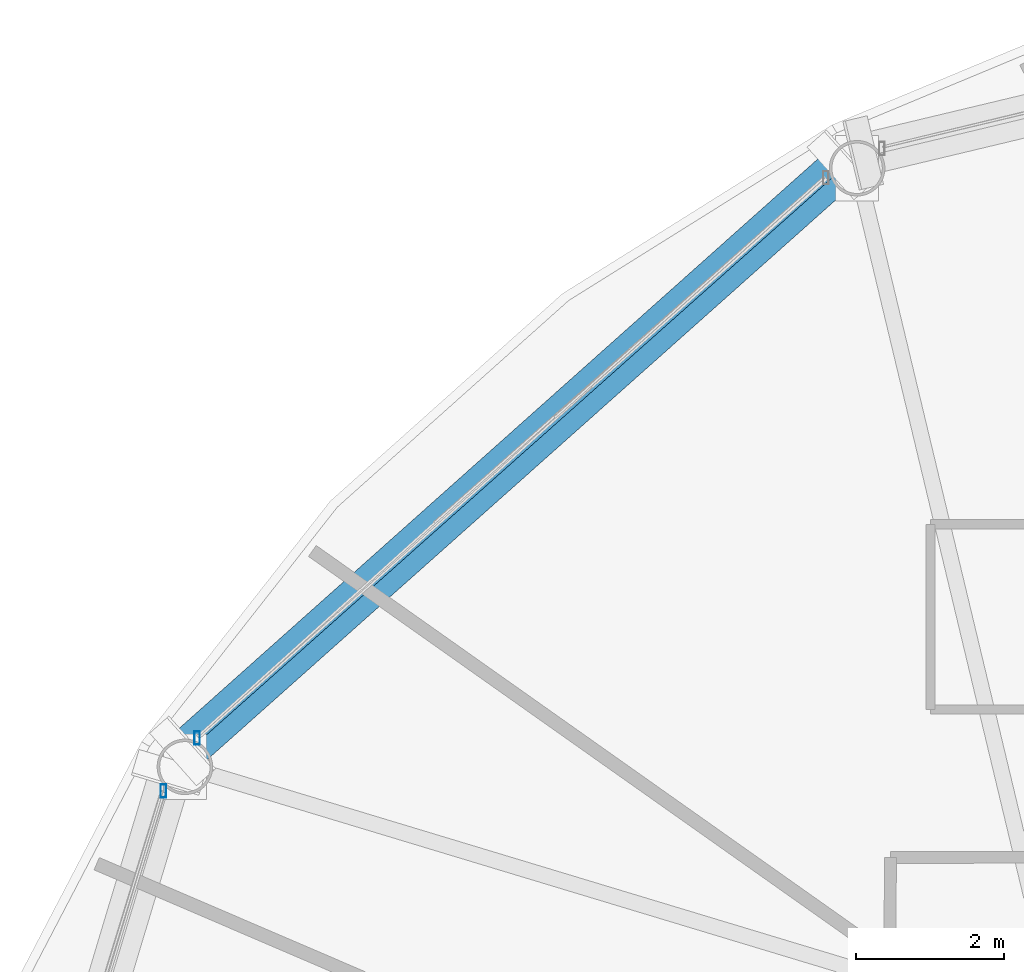
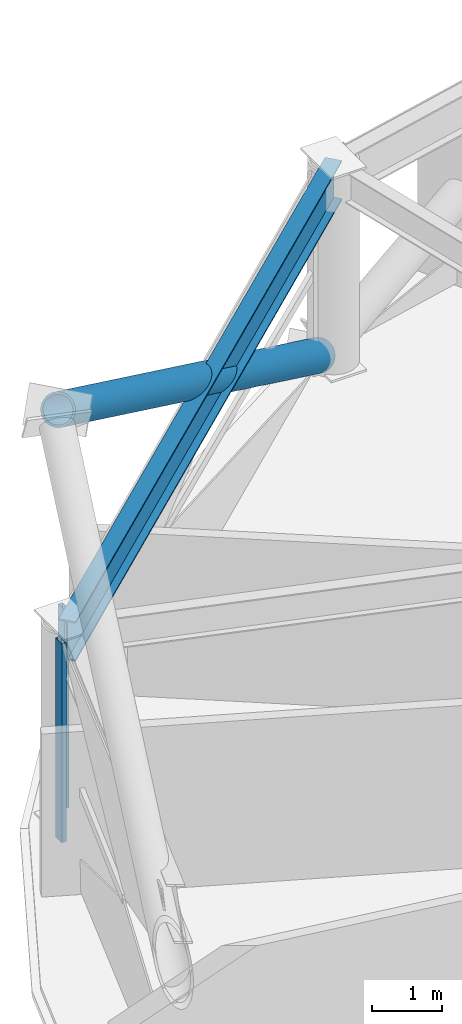
# One storey, part 13 of 29: 3 members, 1 beam, 2 elements without a shape of their own.
"""IFC4 building model written with IfcOpenShell, lengths in metres."""

import ifcopenshell
import ifcopenshell.guid

model = None  # the IFC model being written
_history = None  # IfcOwnerHistory: only IFC2X3 demands one
_inside = {}  # id of a spatial element -> (the spatial element, [elements in it])
_under = {}  # id of a project, library or spatial element -> (it, [spatial elements below it])
_declared = {}  # id of a project -> (the project, [libraries it declares])
_typed = {}  # id of a type object -> (the type object, [elements of that type])
_made_of = {}  # id of a material, layer set ... -> (it, [elements and type objects made of it])


def new_model(schema):
    """Start an empty IFC model of exactly this schema.

    Asked for "IFC4X3", IfcOpenShell would pick the latest addendum, in which some entities
    have other attributes; the version numbers below select the first issue.
    IFC2X3 requires an IfcOwnerHistory on every rooted entity: one is made here for all.
    """
    global model, _history
    if schema == "IFC4X3":
        model = ifcopenshell.file(schema_version=(4, 3, 0, 0))
    else:
        model = ifcopenshell.file(schema=schema)
    _inside.clear()
    _under.clear()
    _declared.clear()
    _typed.clear()
    _made_of.clear()
    _history = None
    if model.schema == "IFC2X3":
        org = make("IfcOrganization", Name="unknown")
        user = make(
            "IfcPersonAndOrganization",
            ThePerson=make("IfcPerson", FamilyName="unknown"),
            TheOrganization=org,
        )
        app = make(
            "IfcApplication",
            ApplicationDeveloper=org,
            Version="unknown",
            ApplicationFullName="unknown",
            ApplicationIdentifier="unknown",
        )
        _history = make(
            "IfcOwnerHistory",
            OwningUser=user,
            OwningApplication=app,
            ChangeAction="ADDED",
            CreationDate=0,
        )
    return model


def make(cls, **values):
    """One entity of the class cls with the attributes given. An attribute that is None is left unset."""
    return model.create_entity(
        cls, **{name: value for name, value in values.items() if value is not None}
    )


def rooted(cls, **values):
    """An entity with a GlobalId (a new one), such as an element, a storey or a relation."""
    return make(cls, GlobalId=ifcopenshell.guid.new(), OwnerHistory=_history, **values)


def si_unit(unit_type, name, prefix=None):
    """IfcSIUnit, for example si_unit("LENGTHUNIT", "METRE", prefix="MILLI")."""
    return make("IfcSIUnit", UnitType=unit_type, Prefix=prefix, Name=name)


def assignment(units):
    """IfcUnitAssignment: the units of a project."""
    return None if units is None else make("IfcUnitAssignment", Units=units)


def point(xyz):
    """IfcCartesianPoint."""
    return None if xyz is None else make("IfcCartesianPoint", Coordinates=xyz)


def direction(xyz):
    """IfcDirection."""
    return None if xyz is None else make("IfcDirection", DirectionRatios=xyz)


def frame(location, z_axis=None, x_axis=None):
    """IfcAxis2Placement3D, a coordinate frame: its origin and axes. An axis left out is left unset."""
    return make(
        "IfcAxis2Placement3D",
        Location=point(location),
        Axis=direction(z_axis),
        RefDirection=direction(x_axis),
    )


def frame_2d(location, x_axis=None):
    """IfcAxis2Placement2D, a coordinate frame in the plane: its origin and x axis."""
    return make(
        "IfcAxis2Placement2D", Location=point(location), RefDirection=direction(x_axis)
    )


def origin():
    """The frame at (0, 0, 0) with its axes left unset."""
    return frame((0.0, 0.0, 0.0))


def origin_2d():
    """The frame at (0, 0) in the plane with its x axis left unset."""
    return frame_2d((0.0, 0.0))


def place(relative_to, where):
    """IfcLocalPlacement: puts the frame where relative to a parent placement (None: the world)."""
    return make(
        "IfcLocalPlacement", PlacementRelTo=relative_to, RelativePlacement=where
    )


def context(
    kind, dimensions, precision=None, world=None, true_north=None, identifier=None
):
    """IfcGeometricRepresentationContext, for example the 3D "Model" context."""
    return make(
        "IfcGeometricRepresentationContext",
        ContextIdentifier=identifier,
        ContextType=kind,
        CoordinateSpaceDimension=dimensions,
        Precision=precision,
        WorldCoordinateSystem=world,
        TrueNorth=true_north,
    )


def subcontext(parent, identifier, kind, view, scale=None):
    """IfcGeometricRepresentationSubContext, for example "Body" below "Model"."""
    return make(
        "IfcGeometricRepresentationSubContext",
        ContextIdentifier=identifier,
        ContextType=kind,
        ParentContext=parent,
        TargetScale=scale,
        TargetView=view,
    )


def project(units=None, contexts=None):
    """IfcProject with its units and contexts."""
    return rooted(
        "IfcProject",
        Name="project",
        RepresentationContexts=contexts,
        UnitsInContext=assignment(units),
    )


def spatial(cls, under=None, at=None, **own):
    """A site, building, storey or space (cls), placed at a placement, below another one or the project."""
    s = rooted(cls, ObjectPlacement=at, **own)
    if under is not None:
        _under.setdefault(under.id(), (under, []))[1].append(s)
    return s


def profile(cls, at=None, kind="AREA", **sizes):
    """A parametric profile (cls). Its sizes go by their IFC names, for example OverallWidth=200.0."""
    return make(cls, ProfileType=kind, Position=at, **sizes)


def hollow_rectangle(**sizes):
    """IfcRectangleHollowProfileDef."""
    return profile("IfcRectangleHollowProfileDef", **sizes)


def hollow_circle(**sizes):
    """IfcCircleHollowProfileDef."""
    return profile("IfcCircleHollowProfileDef", **sizes)


def i_section(**sizes):
    """IfcIShapeProfileDef."""
    return profile("IfcIShapeProfileDef", **sizes)


def extrude(swept, where, along, depth):
    """IfcExtrudedAreaSolid: the profile swept, set in the frame where, extruded along a direction by depth."""
    return make(
        "IfcExtrudedAreaSolid",
        SweptArea=swept,
        Position=where,
        ExtrudedDirection=direction(along),
        Depth=depth,
    )


def shape(context_of_items, identifier, shape_type, items):
    """IfcShapeRepresentation: the items that make up one representation, for example the "Body"."""
    return make(
        "IfcShapeRepresentation",
        ContextOfItems=context_of_items,
        RepresentationIdentifier=identifier,
        RepresentationType=shape_type,
        Items=items,
    )


def material(Name=None, Category=None):
    """IfcMaterial."""
    return make("IfcMaterial", Name=Name, Category=Category)


def layer(
    of_material, thickness, ventilated=None, Name=None, Category=None, Priority=None
):
    """IfcMaterialLayer: one layer of a wall or slab, of a material (None: an air gap)."""
    return make(
        "IfcMaterialLayer",
        Material=of_material,
        LayerThickness=thickness,
        IsVentilated=ventilated,
        Name=Name,
        Category=Category,
        Priority=Priority,
    )


def layer_set(layers, Name=None):
    """IfcMaterialLayerSet."""
    return make("IfcMaterialLayerSet", MaterialLayers=layers, LayerSetName=Name)


def material_profile(
    of_material, cross_section, Name=None, Category=None, Priority=None
):
    """IfcMaterialProfile: a cross section and its material."""
    return make(
        "IfcMaterialProfile",
        Name=Name,
        Material=of_material,
        Profile=cross_section,
        Priority=Priority,
        Category=Category,
    )


def profile_set(profiles, Name=None, composite=None):
    """IfcMaterialProfileSet."""
    return make(
        "IfcMaterialProfileSet",
        Name=Name,
        MaterialProfiles=profiles,
        CompositeProfile=composite,
    )


def made_of(thing, what):
    """Note that an element or type object is made of a material, layer set ...; save() writes the relation."""
    if what is not None:
        _made_of.setdefault(what.id(), (what, []))[1].append(thing)
    return thing


def type_object(cls, material=None, **own):
    """A type object (cls), such as IfcWallType, which elements share."""
    return made_of(rooted(cls, **own), material)


def element(
    cls,
    number,
    at=None,
    inside=None,
    cuts=None,
    type_object=None,
    material=None,
    context=None,
    identifier="Body",
    shape_type=None,
    held_by="IfcProductDefinitionShape",
    body=None,
    shapes=None,
    **own,
):
    """One element of the class cls, such as IfcWall. Its Tag is "e" and its number.

    at: its placement. inside: the storey or other place that contains it. cuts: it is an
    opening in that element (IfcRelVoidsElement). A single representation is given by context,
    identifier, shape_type and body (its items); several are given by shapes. held_by: the class
    of the entity that holds the representations. save() writes the other relations.
    """
    e = rooted(cls, Tag="e%d" % number, ObjectPlacement=at, **own)
    if body is not None:
        shapes = [shape(context, identifier, shape_type, body)]
    if shapes is not None:
        e.Representation = make(held_by, Representations=shapes)
    if inside is not None:
        _inside.setdefault(inside.id(), (inside, []))[1].append(e)
    if cuts is not None:
        rooted(
            "IfcRelVoidsElement", RelatingBuildingElement=cuts, RelatedOpeningElement=e
        )
    if type_object is not None:
        _typed.setdefault(type_object.id(), (type_object, []))[1].append(e)
    return made_of(e, material)


def aggregate(whole, parts):
    """IfcRelAggregates: a whole, such as a stair, and the parts it consists of."""
    return rooted("IfcRelAggregates", RelatingObject=whole, RelatedObjects=parts)


def save(model, path):
    """Write the relations noted so far, then the file.

    IfcRelAggregates (storeys below a building ...), IfcRelContainedInSpatialStructure (elements
    in a storey), IfcRelDefinesByType, IfcRelAssociatesMaterial and IfcRelDeclares: one each for
    every whole, place, type object, material and project.
    """
    for whole, parts in _under.values():
        aggregate(whole, parts)
    for where, things in _inside.values():
        rooted(
            "IfcRelContainedInSpatialStructure",
            RelatedElements=things,
            RelatingStructure=where,
        )
    for kind, things in _typed.values():
        rooted("IfcRelDefinesByType", RelatedObjects=things, RelatingType=kind)
    for what, things in _made_of.values():
        rooted("IfcRelAssociatesMaterial", RelatedObjects=things, RelatingMaterial=what)
    for by, libraries in _declared.values():
        rooted("IfcRelDeclares", RelatingContext=by, RelatedDefinitions=libraries)
    model.write(path)


model = new_model("IFC4")

# Units and contexts
model_context = context("Model", 3, precision=1e-05, world=origin(), true_north=direction((0.0, 1.0)))
body_context = subcontext(model_context, "Body", "Model", "MODEL_VIEW")
ifc_project = project(units=[si_unit("LENGTHUNIT", "METRE"), si_unit("AREAUNIT", "SQUARE_METRE"), si_unit("VOLUMEUNIT", "CUBIC_METRE"), si_unit("PLANEANGLEUNIT", "RADIAN"), si_unit("MASSUNIT", "GRAM", prefix="KILO")], contexts=[model_context])

# Site, building, storey
site_placement = place(None, origin())
site = spatial("IfcSite", under=ifc_project, at=site_placement, CompositionType="ELEMENT")
building_placement = place(site_placement, origin())
building = spatial("IfcBuilding", under=site, at=building_placement, Name="Vantalir Tower", CompositionType="ELEMENT")
storey_placement = place(building_placement, frame((0.0, 0.0, 149.699951171875)))
storey = spatial("IfcBuildingStorey", under=building, at=storey_placement, Name="L37", CompositionType="ELEMENT", Elevation=149.699951171875)

# Beam
ifc_material_1 = material(Name="Steel S460", Category="steel")
ifc_material_profile_1 = material_profile(ifc_material_1, i_section(OverallWidth=0.256103515625, OverallDepth=0.693115234375, WebThickness=0.014404296875, FlangeThickness=0.023681640625, at=origin_2d()), Name="Steel S460")
ifc_profile_set_1 = profile_set([ifc_material_profile_1], Name="Steel S460")
beam_type = type_object("IfcBeamType", Name="BM-RG-686x254", PredefinedType="USERDEFINED", material=ifc_profile_set_1)
beam_placement = place(storey_placement, frame((19.10888671875, 44.112060546875, 3.22412109375), z_axis=(-0.746823535623, -0.665022260259, 0.0), x_axis=(0.665022260259, -0.746823535623, 0.0)))
element("IfcBeam", 1, at=beam_placement, inside=storey, type_object=beam_type, Name="L37 Circumferential Ring Girder 05", ObjectType="GIRDER", PredefinedType="USERDEFINED", context=body_context, shape_type="SweptSolid", body=[
    extrude(i_section(OverallWidth=0.256103515625, OverallDepth=0.693115234375, WebThickness=0.014404296875, FlangeThickness=0.023681640625, at=origin_2d()), origin(), (0.0, 0.0, 1.0), 12.147216796875),
])

# Curtain wall, member
ifc_material_2 = material(Name="Champagne-silver PVDF aluminium and double-silver Low-E glass", Category="aluminium")
ifc_layer = layer(ifc_material_2, 0.199951171875)
ifc_layer_set = layer_set([ifc_layer], Name="Champagne-silver PVDF aluminium and double-silver Low-E glass")
curtain_wall_type = type_object("IfcCurtainWallType", Name="CW-DIAMOND-Z2", PredefinedType="USERDEFINED", material=ifc_layer_set)
curtain_wall_1_placement = place(storey_placement, origin())
curtain_wall_1 = element("IfcCurtainWall", 2, at=curtain_wall_1_placement, inside=storey, type_object=curtain_wall_type, Name="L37 Quilted Pyramid-Diamond Curtain Wall S05", ObjectType="UNITISED CURTAIN WALL", PredefinedType="USERDEFINED")
ifc_material_3 = material(Name="Champagne-silver PVDF aluminium 6063-T6", Category="aluminium")
ifc_material_profile_2 = material_profile(ifc_material_3, hollow_rectangle(XDim=0.074951171875, YDim=0.179931640625, WallThickness=0.00390625, at=origin_2d()), Name="Champagne-silver PVDF aluminium 6063-T6")
ifc_profile_set_2 = profile_set([ifc_material_profile_2], Name="Champagne-silver PVDF aluminium 6063-T6")
member_type_1 = type_object("IfcMemberType", Name="CWM-180x75", PredefinedType="MULLION", material=ifc_profile_set_2)
member_1_placement = place(storey_placement, frame((10.200927734375, 36.422119140625, 0.045166015625), z_axis=(0.0, 0.0, 1.0), x_axis=(1.0, 0.0, 0.0)))
member_1 = element("IfcMember", 3, at=member_1_placement, type_object=member_type_1, Name="CW-L37-S05 Mullion 2", PredefinedType="MULLION", context=body_context, shape_type="SweptSolid", body=[
    extrude(hollow_rectangle(XDim=0.074951171875, YDim=0.179931640625, WallThickness=0.00390625, at=origin_2d()), origin(), (0.0, 0.0, 1.0), 3.47998046875),
])
aggregate(curtain_wall_1, [member_1])

curtain_wall_2_placement = place(storey_placement, origin())
curtain_wall_2 = element("IfcCurtainWall", 4, at=curtain_wall_2_placement, inside=storey, type_object=curtain_wall_type, Name="L37 Quilted Pyramid-Diamond Curtain Wall S06", ObjectType="UNITISED CURTAIN WALL", PredefinedType="USERDEFINED")
member_2_placement = place(storey_placement, frame((9.74609375, 35.7080078125, 0.045166015625), z_axis=(0.0, 0.0, 1.0), x_axis=(1.0, 0.0, 0.0)))
member_2 = element("IfcMember", 5, at=member_2_placement, type_object=member_type_1, Name="CW-L37-S06 Mullion 1", PredefinedType="MULLION", context=body_context, shape_type="SweptSolid", body=[
    extrude(hollow_rectangle(XDim=0.074951171875, YDim=0.179931640625, WallThickness=0.00390625, at=origin_2d()), origin(), (0.0, 0.0, 1.0), 3.47998046875),
])
aggregate(curtain_wall_2, [member_2])

# Member
ifc_material_profile_3 = material_profile(ifc_material_1, hollow_circle(Radius=0.260009765625, WallThickness=0.0380859375, at=origin_2d()), Name="Steel S460")
ifc_profile_set_3 = profile_set([ifc_material_profile_3], Name="Steel S460")
member_type_2 = type_object("IfcMemberType", Name="MEM-DB-520x38", PredefinedType="BRACE", material=ifc_profile_set_3)
member_3_placement = place(storey_placement, frame((18.8720703125, 44.15087890625, 0.191162109375), z_axis=(-0.64438075385, -0.574452502578, 0.504755154853), x_axis=(0.665443556263, -0.746448171964, 0.0)))
element("IfcMember", 6, at=member_3_placement, inside=storey, type_object=member_type_2, Name="L37 Perimeter S460 Diagrid Brace R13L", PredefinedType="BRACE", context=body_context, shape_type="SweptSolid", body=[
    extrude(hollow_circle(Radius=0.260009765625, WallThickness=0.0380859375, at=origin_2d()), origin(), (0.0, 0.0, 1.0), 13.745361328125),
])

save(model, "model.ifc")
